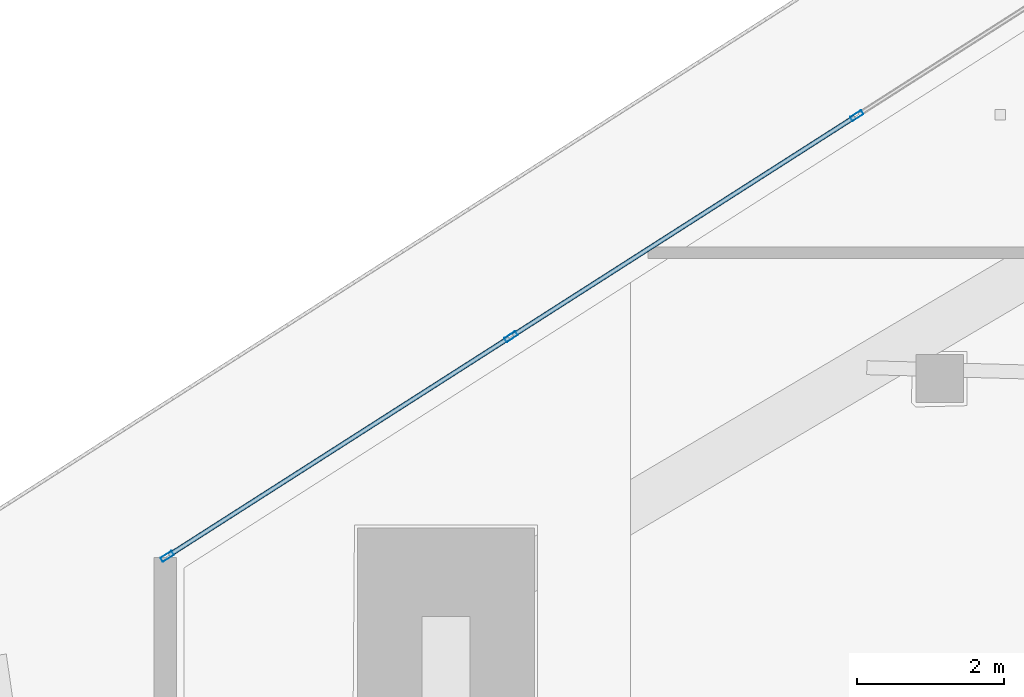
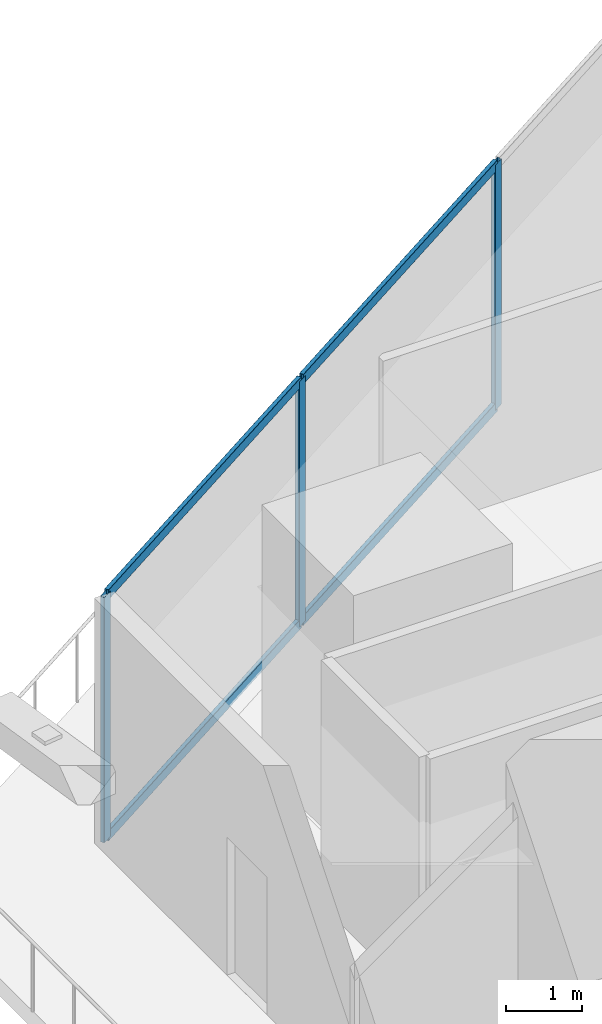
# One storey, part 14 of 46: 7 members, 1 element without a shape of its own.
"""IFC4 building model written with IfcOpenShell, lengths in metres."""

from ifc_helpers import new_model, si_unit, direction, frame, origin, origin_2d, place, context, subcontext, project, spatial, hollow_rectangle, extrude, material, layer, layer_set, material_profile, profile_set, type_object, element, aggregate, save


model = new_model("IFC4")

# Units and contexts
model_context = context("Model", 3, precision=1e-05, world=origin(), true_north=direction((0.0, 1.0)))
body_context = subcontext(model_context, "Body", "Model", "MODEL_VIEW")
ifc_project = project(units=[si_unit("LENGTHUNIT", "METRE"), si_unit("AREAUNIT", "SQUARE_METRE"), si_unit("VOLUMEUNIT", "CUBIC_METRE"), si_unit("PLANEANGLEUNIT", "RADIAN"), si_unit("MASSUNIT", "GRAM", prefix="KILO")], contexts=[model_context])

# Site, building, storey
site_placement = place(None, origin())
site = spatial("IfcSite", under=ifc_project, at=site_placement, CompositionType="ELEMENT")
building_placement = place(site_placement, origin())
building = spatial("IfcBuilding", under=site, at=building_placement, Name="Qorvath Tower", CompositionType="ELEMENT")
storey_placement = place(building_placement, frame((0.0, 0.0, 87.0)))
storey = spatial("IfcBuildingStorey", under=building, at=storey_placement, Name="L19", CompositionType="ELEMENT", Elevation=87.0)

# Curtain wall, members
ifc_material_1 = material(Name="Anodised aluminium and triple low-E glass", Category="aluminium")
ifc_layer = layer(ifc_material_1, 0.179931640625)
ifc_layer_set = layer_set([ifc_layer], Name="CW-SYS-2")
curtain_wall_type = type_object("IfcCurtainWallType", Name="CW-SYS-2", PredefinedType="NOTDEFINED", material=ifc_layer_set)
curtain_wall_placement = place(storey_placement, origin())
curtain_wall = element("IfcCurtainWall", 1, at=curtain_wall_placement, inside=storey, type_object=curtain_wall_type, Name="Curtain Wall CW-2 CW-T-L19-16.3", PredefinedType="NOTDEFINED")
ifc_material_2 = material(Name="Anodised aluminium 6063-T6", Category="aluminium")
ifc_material_profile_1 = material_profile(ifc_material_2, hollow_rectangle(XDim=0.06494140625, YDim=0.179931640625, WallThickness=0.00341796875, InnerFilletRadius=0.00341796875, OuterFilletRadius=0.007080078125, at=origin_2d()), Name="CWM 180x65")
ifc_profile_set_1 = profile_set([ifc_material_profile_1], Name="Anodised aluminium 6063-T6")
member_type_1 = type_object("IfcMemberType", Name="CWM-180", PredefinedType="MULLION", material=ifc_profile_set_1)
member_1_placement = place(storey_placement, frame((-49.705322265625, 9.994873046875, 0.0), z_axis=(0.0, 0.0, 1.0), x_axis=(0.538527563, -0.842607894509, 0.0)))
member_1 = element("IfcMember", 2, at=member_1_placement, type_object=member_type_1, Name="CW-2 mullion 4", PredefinedType="MULLION", context=body_context, shape_type="SweptSolid", body=[
    extrude(hollow_rectangle(XDim=0.06494140625, YDim=0.179931640625, WallThickness=0.00341796875, InnerFilletRadius=0.00341796875, OuterFilletRadius=0.007080078125, at=origin_2d()), origin(), (0.0, 0.0, 1.0), 3.919921875),
])
member_2_placement = place(storey_placement, frame((-54.39990234375, 6.994384765625, 0.0), z_axis=(0.0, 0.0, 1.0), x_axis=(0.538527563, -0.842607894509, 0.0)))
member_2 = element("IfcMember", 3, at=member_2_placement, type_object=member_type_1, Name="CW-2 mullion 5", PredefinedType="MULLION", context=body_context, shape_type="SweptSolid", body=[
    extrude(hollow_rectangle(XDim=0.06494140625, YDim=0.179931640625, WallThickness=0.00341796875, InnerFilletRadius=0.00341796875, OuterFilletRadius=0.007080078125, at=origin_2d()), origin(), (0.0, 0.0, 1.0), 3.919921875),
])
member_3_placement = place(storey_placement, frame((-59.067138671875, 4.01171875, 0.0), z_axis=(0.0, 0.0, 1.0), x_axis=(0.538527563, -0.842607894509, 0.0)))
member_3 = element("IfcMember", 4, at=member_3_placement, type_object=member_type_1, Name="CW-2 mullion 6", PredefinedType="MULLION", context=body_context, shape_type="SweptSolid", body=[
    extrude(hollow_rectangle(XDim=0.06494140625, YDim=0.179931640625, WallThickness=0.00341796875, InnerFilletRadius=0.00341796875, OuterFilletRadius=0.007080078125, at=origin_2d()), origin(), (0.0, 0.0, 1.0), 3.919921875),
])
ifc_material_3 = material(Name="Anodised aluminium 6063-T6", Category="aluminium")
ifc_material_profile_2 = material_profile(ifc_material_3, hollow_rectangle(XDim=0.06494140625, YDim=0.159912109375, WallThickness=0.00341796875, InnerFilletRadius=0.00341796875, OuterFilletRadius=0.007080078125, at=origin_2d()), Name="CWT 160x65")
ifc_profile_set_2 = profile_set([ifc_material_profile_2], Name="Anodised aluminium 6063-T6")
member_type_2 = type_object("IfcMemberType", Name="CWT-160", PredefinedType="USERDEFINED", material=ifc_profile_set_2)
member_4_placement = place(storey_placement, frame((-49.732666015625, 9.977294921875, 0.032470703125), z_axis=(-0.842617465223, -0.538512587877, 0.0), x_axis=(0.538512587877, -0.842617465223, 0.0)))
member_4 = element("IfcMember", 5, at=member_4_placement, type_object=member_type_2, Name="CW-2 transom 4.1", ObjectType="TRANSOM", PredefinedType="USERDEFINED", context=body_context, shape_type="SweptSolid", body=[
    extrude(hollow_rectangle(XDim=0.06494140625, YDim=0.159912109375, WallThickness=0.00341796875, InnerFilletRadius=0.00341796875, OuterFilletRadius=0.007080078125, at=origin_2d()), origin(), (0.0, 0.0, 1.0), 5.506591796875),
])
member_5_placement = place(storey_placement, frame((-49.732666015625, 9.977294921875, 3.887451171875), z_axis=(-0.842617465223, -0.538512587877, 0.0), x_axis=(0.538512587877, -0.842617465223, 0.0)))
member_5 = element("IfcMember", 6, at=member_5_placement, type_object=member_type_2, Name="CW-2 transom 4.2", ObjectType="TRANSOM", PredefinedType="USERDEFINED", context=body_context, shape_type="SweptSolid", body=[
    extrude(hollow_rectangle(XDim=0.06494140625, YDim=0.159912109375, WallThickness=0.00341796875, InnerFilletRadius=0.00341796875, OuterFilletRadius=0.007080078125, at=origin_2d()), origin(), (0.0, 0.0, 1.0), 5.506591796875),
])
member_6_placement = place(storey_placement, frame((-54.42724609375, 6.97705078125, 0.032470703125), z_axis=(-0.842605755043, -0.538530910504, 0.0), x_axis=(0.538530910504, -0.842605755043, 0.0)))
member_6 = element("IfcMember", 7, at=member_6_placement, type_object=member_type_2, Name="CW-2 transom 5.1", ObjectType="TRANSOM", PredefinedType="USERDEFINED", context=body_context, shape_type="SweptSolid", body=[
    extrude(hollow_rectangle(XDim=0.06494140625, YDim=0.159912109375, WallThickness=0.00341796875, InnerFilletRadius=0.00341796875, OuterFilletRadius=0.007080078125, at=origin_2d()), origin(), (0.0, 0.0, 1.0), 5.47412109375),
])
member_7_placement = place(storey_placement, frame((-54.42724609375, 6.97705078125, 3.887451171875), z_axis=(-0.842605755043, -0.538530910504, 0.0), x_axis=(0.538530910504, -0.842605755043, 0.0)))
member_7 = element("IfcMember", 8, at=member_7_placement, type_object=member_type_2, Name="CW-2 transom 5.2", ObjectType="TRANSOM", PredefinedType="USERDEFINED", context=body_context, shape_type="SweptSolid", body=[
    extrude(hollow_rectangle(XDim=0.06494140625, YDim=0.159912109375, WallThickness=0.00341796875, InnerFilletRadius=0.00341796875, OuterFilletRadius=0.007080078125, at=origin_2d()), origin(), (0.0, 0.0, 1.0), 5.47412109375),
])
aggregate(curtain_wall, [member_1, member_2, member_3, member_4, member_5, member_6, member_7])

save(model, "model.ifc")
